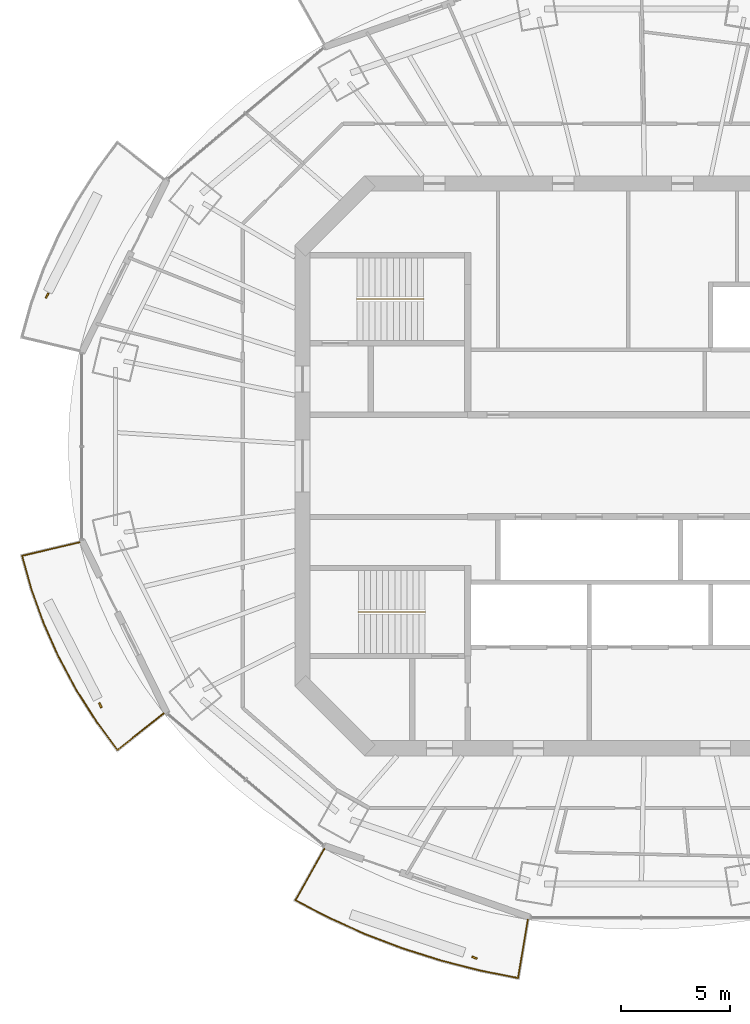
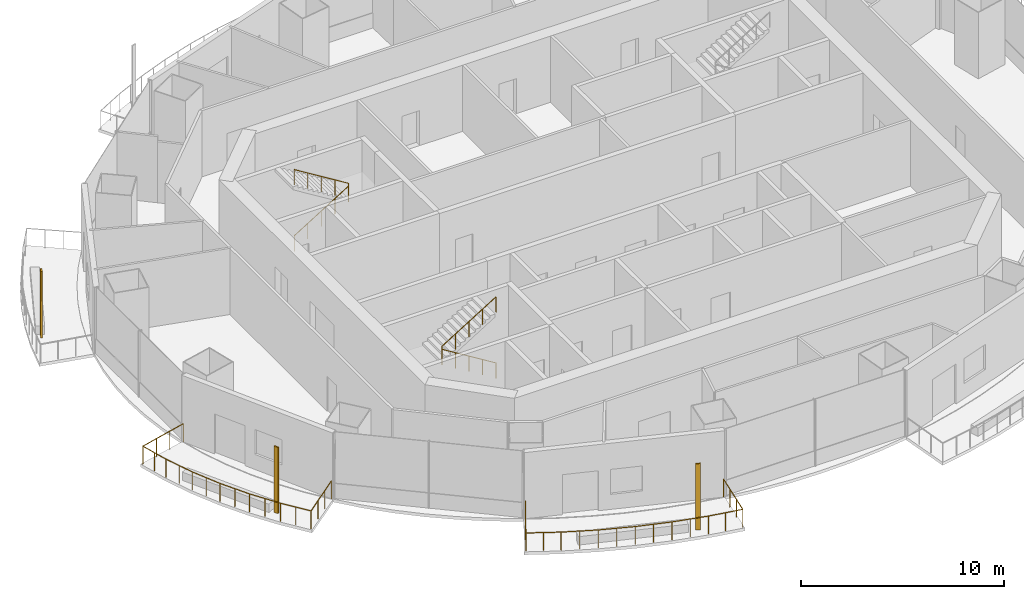
# One storey, part 12 of 16: 4 railings, 3 shading devices.
"""IFC4 building model written with IfcOpenShell, lengths in metres."""

import ifcopenshell
import ifcopenshell.guid

model = None  # the IFC model being written
_history = None  # IfcOwnerHistory: only IFC2X3 demands one
_inside = {}  # id of a spatial element -> (the spatial element, [elements in it])
_under = {}  # id of a project, library or spatial element -> (it, [spatial elements below it])
_declared = {}  # id of a project -> (the project, [libraries it declares])
_typed = {}  # id of a type object -> (the type object, [elements of that type])
_made_of = {}  # id of a material, layer set ... -> (it, [elements and type objects made of it])


def new_model(schema):
    """Start an empty IFC model of exactly this schema.

    Asked for "IFC4X3", IfcOpenShell would pick the latest addendum, in which some entities
    have other attributes; the version numbers below select the first issue.
    IFC2X3 requires an IfcOwnerHistory on every rooted entity: one is made here for all.
    """
    global model, _history
    if schema == "IFC4X3":
        model = ifcopenshell.file(schema_version=(4, 3, 0, 0))
    else:
        model = ifcopenshell.file(schema=schema)
    _inside.clear()
    _under.clear()
    _declared.clear()
    _typed.clear()
    _made_of.clear()
    _history = None
    if model.schema == "IFC2X3":
        org = make("IfcOrganization", Name="unknown")
        user = make(
            "IfcPersonAndOrganization",
            ThePerson=make("IfcPerson", FamilyName="unknown"),
            TheOrganization=org,
        )
        app = make(
            "IfcApplication",
            ApplicationDeveloper=org,
            Version="unknown",
            ApplicationFullName="unknown",
            ApplicationIdentifier="unknown",
        )
        _history = make(
            "IfcOwnerHistory",
            OwningUser=user,
            OwningApplication=app,
            ChangeAction="ADDED",
            CreationDate=0,
        )
    return model


def make(cls, **values):
    """One entity of the class cls with the attributes given. An attribute that is None is left unset."""
    return model.create_entity(
        cls, **{name: value for name, value in values.items() if value is not None}
    )


def rooted(cls, **values):
    """An entity with a GlobalId (a new one), such as an element, a storey or a relation."""
    return make(cls, GlobalId=ifcopenshell.guid.new(), OwnerHistory=_history, **values)


def si_unit(unit_type, name, prefix=None):
    """IfcSIUnit, for example si_unit("LENGTHUNIT", "METRE", prefix="MILLI")."""
    return make("IfcSIUnit", UnitType=unit_type, Prefix=prefix, Name=name)


def assignment(units):
    """IfcUnitAssignment: the units of a project."""
    return None if units is None else make("IfcUnitAssignment", Units=units)


def point(xyz):
    """IfcCartesianPoint."""
    return None if xyz is None else make("IfcCartesianPoint", Coordinates=xyz)


def direction(xyz):
    """IfcDirection."""
    return None if xyz is None else make("IfcDirection", DirectionRatios=xyz)


def frame(location, z_axis=None, x_axis=None):
    """IfcAxis2Placement3D, a coordinate frame: its origin and axes. An axis left out is left unset."""
    return make(
        "IfcAxis2Placement3D",
        Location=point(location),
        Axis=direction(z_axis),
        RefDirection=direction(x_axis),
    )


def frame_2d(location, x_axis=None):
    """IfcAxis2Placement2D, a coordinate frame in the plane: its origin and x axis."""
    return make(
        "IfcAxis2Placement2D", Location=point(location), RefDirection=direction(x_axis)
    )


def origin():
    """The frame at (0, 0, 0) with its axes left unset."""
    return frame((0.0, 0.0, 0.0))


def origin_2d():
    """The frame at (0, 0) in the plane with its x axis left unset."""
    return frame_2d((0.0, 0.0))


def place(relative_to, where):
    """IfcLocalPlacement: puts the frame where relative to a parent placement (None: the world)."""
    return make(
        "IfcLocalPlacement", PlacementRelTo=relative_to, RelativePlacement=where
    )


def context(
    kind, dimensions, precision=None, world=None, true_north=None, identifier=None
):
    """IfcGeometricRepresentationContext, for example the 3D "Model" context."""
    return make(
        "IfcGeometricRepresentationContext",
        ContextIdentifier=identifier,
        ContextType=kind,
        CoordinateSpaceDimension=dimensions,
        Precision=precision,
        WorldCoordinateSystem=world,
        TrueNorth=true_north,
    )


def subcontext(parent, identifier, kind, view, scale=None):
    """IfcGeometricRepresentationSubContext, for example "Body" below "Model"."""
    return make(
        "IfcGeometricRepresentationSubContext",
        ContextIdentifier=identifier,
        ContextType=kind,
        ParentContext=parent,
        TargetScale=scale,
        TargetView=view,
    )


def project(units=None, contexts=None):
    """IfcProject with its units and contexts."""
    return rooted(
        "IfcProject",
        Name="project",
        RepresentationContexts=contexts,
        UnitsInContext=assignment(units),
    )


def spatial(cls, under=None, at=None, **own):
    """A site, building, storey or space (cls), placed at a placement, below another one or the project."""
    s = rooted(cls, ObjectPlacement=at, **own)
    if under is not None:
        _under.setdefault(under.id(), (under, []))[1].append(s)
    return s


def profile(cls, at=None, kind="AREA", **sizes):
    """A parametric profile (cls). Its sizes go by their IFC names, for example OverallWidth=200.0."""
    return make(cls, ProfileType=kind, Position=at, **sizes)


def rectangle(**sizes):
    """IfcRectangleProfileDef."""
    return profile("IfcRectangleProfileDef", **sizes)


def circle(**sizes):
    """IfcCircleProfileDef."""
    return profile("IfcCircleProfileDef", **sizes)


def extrude(swept, where, along, depth):
    """IfcExtrudedAreaSolid: the profile swept, set in the frame where, extruded along a direction by depth."""
    return make(
        "IfcExtrudedAreaSolid",
        SweptArea=swept,
        Position=where,
        ExtrudedDirection=direction(along),
        Depth=depth,
    )


def shape(context_of_items, identifier, shape_type, items):
    """IfcShapeRepresentation: the items that make up one representation, for example the "Body"."""
    return make(
        "IfcShapeRepresentation",
        ContextOfItems=context_of_items,
        RepresentationIdentifier=identifier,
        RepresentationType=shape_type,
        Items=items,
    )


def material(Name=None, Category=None):
    """IfcMaterial."""
    return make("IfcMaterial", Name=Name, Category=Category)


def material_profile(
    of_material, cross_section, Name=None, Category=None, Priority=None
):
    """IfcMaterialProfile: a cross section and its material."""
    return make(
        "IfcMaterialProfile",
        Name=Name,
        Material=of_material,
        Profile=cross_section,
        Priority=Priority,
        Category=Category,
    )


def profile_set(profiles, Name=None, composite=None):
    """IfcMaterialProfileSet."""
    return make(
        "IfcMaterialProfileSet",
        Name=Name,
        MaterialProfiles=profiles,
        CompositeProfile=composite,
    )


def made_of(thing, what):
    """Note that an element or type object is made of a material, layer set ...; save() writes the relation."""
    if what is not None:
        _made_of.setdefault(what.id(), (what, []))[1].append(thing)
    return thing


def type_object(cls, material=None, **own):
    """A type object (cls), such as IfcWallType, which elements share."""
    return made_of(rooted(cls, **own), material)


def element(
    cls,
    number,
    at=None,
    inside=None,
    cuts=None,
    type_object=None,
    material=None,
    context=None,
    identifier="Body",
    shape_type=None,
    held_by="IfcProductDefinitionShape",
    body=None,
    shapes=None,
    **own,
):
    """One element of the class cls, such as IfcWall. Its Tag is "e" and its number.

    at: its placement. inside: the storey or other place that contains it. cuts: it is an
    opening in that element (IfcRelVoidsElement). A single representation is given by context,
    identifier, shape_type and body (its items); several are given by shapes. held_by: the class
    of the entity that holds the representations. save() writes the other relations.
    """
    e = rooted(cls, Tag="e%d" % number, ObjectPlacement=at, **own)
    if body is not None:
        shapes = [shape(context, identifier, shape_type, body)]
    if shapes is not None:
        e.Representation = make(held_by, Representations=shapes)
    if inside is not None:
        _inside.setdefault(inside.id(), (inside, []))[1].append(e)
    if cuts is not None:
        rooted(
            "IfcRelVoidsElement", RelatingBuildingElement=cuts, RelatedOpeningElement=e
        )
    if type_object is not None:
        _typed.setdefault(type_object.id(), (type_object, []))[1].append(e)
    return made_of(e, material)


def aggregate(whole, parts):
    """IfcRelAggregates: a whole, such as a stair, and the parts it consists of."""
    return rooted("IfcRelAggregates", RelatingObject=whole, RelatedObjects=parts)


def save(model, path):
    """Write the relations noted so far, then the file.

    IfcRelAggregates (storeys below a building ...), IfcRelContainedInSpatialStructure (elements
    in a storey), IfcRelDefinesByType, IfcRelAssociatesMaterial and IfcRelDeclares: one each for
    every whole, place, type object, material and project.
    """
    for whole, parts in _under.values():
        aggregate(whole, parts)
    for where, things in _inside.values():
        rooted(
            "IfcRelContainedInSpatialStructure",
            RelatedElements=things,
            RelatingStructure=where,
        )
    for kind, things in _typed.values():
        rooted("IfcRelDefinesByType", RelatedObjects=things, RelatingType=kind)
    for what, things in _made_of.values():
        rooted("IfcRelAssociatesMaterial", RelatedObjects=things, RelatingMaterial=what)
    for by, libraries in _declared.values():
        rooted("IfcRelDeclares", RelatingContext=by, RelatedDefinitions=libraries)
    model.write(path)


model = new_model("IFC4")

# Units and contexts
model_context = context("Model", 3, precision=1e-05, world=origin(), true_north=direction((0.0, 1.0)))
body_context = subcontext(model_context, "Body", "Model", "MODEL_VIEW")
ifc_project = project(units=[si_unit("LENGTHUNIT", "METRE"), si_unit("AREAUNIT", "SQUARE_METRE"), si_unit("VOLUMEUNIT", "CUBIC_METRE"), si_unit("PLANEANGLEUNIT", "RADIAN"), si_unit("MASSUNIT", "GRAM", prefix="KILO")], contexts=[model_context])

# Site, building, storey
site_placement = place(None, origin())
site = spatial("IfcSite", under=ifc_project, at=site_placement, CompositionType="ELEMENT")
building_placement = place(site_placement, origin())
building = spatial("IfcBuilding", under=site, at=building_placement, Name="Marenthal Gate Tower", CompositionType="ELEMENT")
storey_placement = place(building_placement, frame((0.0, 0.0, 367.5)))
storey = spatial("IfcBuildingStorey", under=building, at=storey_placement, Name="L83", CompositionType="ELEMENT", Elevation=367.5)

# Railings
ifc_material_1 = material(Name="Stainless steel", Category="steel")
railing_type_1 = type_object("IfcRailingType", Name="Balcony guard 1100", PredefinedType="GUARDRAIL", material=ifc_material_1)
railing_1_placement = place(storey_placement, frame((-22.387939453125, -11.38818359375, 0.0)))
element("IfcRailing", 1, at=railing_1_placement, inside=storey, type_object=railing_type_1, Name="Balcony guard L83 bay 9", PredefinedType="GUARDRAIL", context=body_context, shape_type="SweptSolid", body=[
    extrude(circle(Radius=0.02392578125, at=origin_2d()), frame((0.0, 0.0, 1.076171875), z_axis=(-0.783769769253, -0.620877048402, -0.014718681113), x_axis=(0.6209443126, -0.783854680824, 0.0)), (0.0, 0.0, 1.0), 2.72021484375),
    extrude(circle(Radius=0.02392578125, at=origin_2d()), frame((-2.132080078125, -1.68896484375, 1.0361328125), z_axis=(-0.59246977966, 0.805592676351, 0.0), x_axis=(-0.805592676351, -0.59246977966, 0.0)), (0.0, 0.0, 1.0), 1.64501953125),
    extrude(circle(Radius=0.02392578125, at=origin_2d()), frame((-3.106689453125, -0.36376953125, 1.0361328125), z_axis=(-0.535611442073, 0.844464554093, 0.0), x_axis=(-0.844464554093, -0.535611442073, 0.0)), (0.0, 0.0, 1.0), 1.712890625),
    extrude(circle(Radius=0.02392578125, at=origin_2d()), frame((-4.024169921875, 1.082763671875, 1.0361328125), z_axis=(-0.473526582877, 0.880779527072, 0.0), x_axis=(-0.880779527072, -0.473526582877, 0.0)), (0.0, 0.0, 1.0), 1.701904296875),
    extrude(circle(Radius=0.02392578125, at=origin_2d()), frame((-4.830078125, 2.581787109375, 1.0361328125), z_axis=(-0.407891440558, 0.913030433622, 0.0), x_axis=(-0.913030433622, -0.407891440558, 0.0)), (0.0, 0.0, 1.0), 1.692138671875),
    extrude(circle(Radius=0.02392578125, at=origin_2d()), frame((-5.520263671875, 4.126708984375, 1.0361328125), z_axis=(-0.338585961957, 0.940935463443, 0.0), x_axis=(-0.940935463443, -0.338585961957, 0.0)), (0.0, 0.0, 1.0), 1.68359375),
    extrude(circle(Radius=0.02392578125, at=origin_2d()), frame((-6.09033203125, 5.7109375, 1.0361328125), z_axis=(-0.268495452575, 0.96328095172, 0.0), x_axis=(-0.96328095172, -0.268495452575, 0.0)), (0.0, 0.0, 1.0), 1.5966796875),
    extrude(circle(Radius=0.02392578125, at=origin_2d()), frame((-6.51904296875, 7.2490234375, 1.0361328125), z_axis=(0.973202156383, 0.229479704341, 0.014718291557), x_axis=(-0.229504564257, 0.973307584983, 0.0)), (0.0, 0.0, 1.0), 2.720458984375),
    extrude(circle(Radius=0.02099609375, at=origin_2d()), origin(), (0.0, 0.0, 1.0), 1.052001953125),
    extrude(circle(Radius=0.02099609375, at=origin_2d()), frame((-0.710693359375, -0.56298828125, -0.013427734375)), (0.0, 0.0, 1.0), 1.052001953125),
    extrude(circle(Radius=0.02099609375, at=origin_2d()), frame((-1.42138671875, -1.1259765625, -0.026611328125)), (0.0, 0.0, 1.0), 1.052001953125),
    extrude(circle(Radius=0.02099609375, at=origin_2d()), frame((-2.132080078125, -1.68896484375, -0.0400390625)), (0.0, 0.0, 1.0), 1.052001953125),
    extrude(circle(Radius=0.02099609375, at=origin_2d()), frame((-2.619384765625, -1.0263671875, -0.0400390625)), (0.0, 0.0, 1.0), 1.052001953125),
    extrude(circle(Radius=0.02099609375, at=origin_2d()), frame((-3.106689453125, -0.36376953125, -0.0400390625)), (0.0, 0.0, 1.0), 1.052001953125),
    extrude(circle(Radius=0.02099609375, at=origin_2d()), frame((-3.5654296875, 0.359375, -0.0400390625)), (0.0, 0.0, 1.0), 1.052001953125),
    extrude(circle(Radius=0.02099609375, at=origin_2d()), frame((-4.024169921875, 1.082763671875, -0.0400390625)), (0.0, 0.0, 1.0), 1.052001953125),
    extrude(circle(Radius=0.02099609375, at=origin_2d()), frame((-4.42724609375, 1.832275390625, -0.0400390625)), (0.0, 0.0, 1.0), 1.052001953125),
    extrude(circle(Radius=0.02099609375, at=origin_2d()), frame((-4.830078125, 2.581787109375, -0.0400390625)), (0.0, 0.0, 1.0), 1.052001953125),
    extrude(circle(Radius=0.02099609375, at=origin_2d()), frame((-5.17529296875, 3.354248046875, -0.0400390625)), (0.0, 0.0, 1.0), 1.052001953125),
    extrude(circle(Radius=0.02099609375, at=origin_2d()), frame((-5.520263671875, 4.126708984375, -0.0400390625)), (0.0, 0.0, 1.0), 1.052001953125),
    extrude(circle(Radius=0.02099609375, at=origin_2d()), frame((-5.80517578125, 4.9189453125, -0.0400390625)), (0.0, 0.0, 1.0), 1.052001953125),
    extrude(circle(Radius=0.02099609375, at=origin_2d()), frame((-6.09033203125, 5.7109375, -0.0400390625)), (0.0, 0.0, 1.0), 1.052001953125),
    extrude(circle(Radius=0.02099609375, at=origin_2d()), frame((-6.3046875, 6.47998046875, -0.0400390625)), (0.0, 0.0, 1.0), 1.052001953125),
    extrude(circle(Radius=0.02099609375, at=origin_2d()), frame((-6.51904296875, 7.2490234375, -0.0400390625)), (0.0, 0.0, 1.0), 1.052001953125),
    extrude(circle(Radius=0.02099609375, at=origin_2d()), frame((-5.636474609375, 7.45703125, -0.026611328125)), (0.0, 0.0, 1.0), 1.052001953125),
    extrude(circle(Radius=0.02099609375, at=origin_2d()), frame((-4.754150390625, 7.665283203125, -0.013427734375)), (0.0, 0.0, 1.0), 1.052001953125),
    extrude(circle(Radius=0.02099609375, at=origin_2d()), frame((-3.87158203125, 7.873291015625, 0.0)), (0.0, 0.0, 1.0), 1.052001953125),
])
railing_2_placement = place(storey_placement, frame((-5.62646484375, -20.890625, 0.0)))
element("IfcRailing", 2, at=railing_2_placement, inside=storey, type_object=railing_type_1, Name="Balcony guard L83 bay 11", PredefinedType="GUARDRAIL", context=body_context, shape_type="SweptSolid", body=[
    extrude(circle(Radius=0.02392578125, at=origin_2d()), frame((0.0, 0.0, 1.076171875), z_axis=(-0.165414456926, -0.986114290962, -0.01471946334), x_axis=(0.986221135368, -0.165432379401, 0.0)), (0.0, 0.0, 1.0), 2.72021484375),
    extrude(circle(Radius=0.02392578125, at=origin_2d()), frame((-0.449951171875, -2.682373046875, 1.0361328125), z_axis=(-0.981004256117, 0.193986209508, 0.0), x_axis=(-0.193986209508, -0.981004256117, 0.0)), (0.0, 0.0, 1.0), 1.785888671875),
    extrude(circle(Radius=0.02392578125, at=origin_2d()), frame((-2.201904296875, -2.3359375, 1.0361328125), z_axis=(-0.968854736133, 0.247629764514, 0.0), x_axis=(-0.247629764514, -0.968854736133, 0.0)), (0.0, 0.0, 1.0), 1.859375),
    extrude(circle(Radius=0.02392578125, at=origin_2d()), frame((-4.00341796875, -1.87548828125, 1.0361328125), z_axis=(-0.953199116145, 0.302343256879, 0.0), x_axis=(-0.302343256879, -0.953199116145, 0.0)), (0.0, 0.0, 1.0), 1.850830078125),
    extrude(circle(Radius=0.02392578125, at=origin_2d()), frame((-5.767578125, -1.31591796875, 1.0361328125), z_axis=(-0.934231239104, 0.35666790139, 0.0), x_axis=(-0.35666790139, -0.934231239104, 0.0)), (0.0, 0.0, 1.0), 1.84130859375),
    extrude(circle(Radius=0.02392578125, at=origin_2d()), frame((-7.48779296875, -0.6591796875, 1.0361328125), z_axis=(-0.911781695063, 0.410675225146, 0.0), x_axis=(-0.410675225146, -0.911781695063, 0.0)), (0.0, 0.0, 1.0), 1.830322265625),
    extrude(circle(Radius=0.02392578125, at=origin_2d()), frame((-9.15673828125, 0.092529296875, 1.0361328125), z_axis=(-0.886397005833, 0.462925855889, 0.0), x_axis=(-0.462925855889, -0.886397005833, 0.0)), (0.0, 0.0, 1.0), 1.73876953125),
    extrude(circle(Radius=0.02392578125, at=origin_2d()), frame((-10.697998046875, 0.8974609375, 1.0361328125), z_axis=(0.490915294113, 0.871082969774, 0.014718484138), x_axis=(-0.871177338103, 0.490968477171, 0.0)), (0.0, 0.0, 1.0), 2.72021484375),
    extrude(circle(Radius=0.02099609375, at=origin_2d()), origin(), (0.0, 0.0, 1.0), 1.052001953125),
    extrude(circle(Radius=0.02099609375, at=origin_2d()), frame((-0.14990234375, -0.89404296875, -0.013427734375)), (0.0, 0.0, 1.0), 1.052001953125),
    extrude(circle(Radius=0.02099609375, at=origin_2d()), frame((-0.300048828125, -1.788330078125, -0.026611328125)), (0.0, 0.0, 1.0), 1.052001953125),
    extrude(circle(Radius=0.02099609375, at=origin_2d()), frame((-0.449951171875, -2.682373046875, -0.0400390625)), (0.0, 0.0, 1.0), 1.052001953125),
    extrude(circle(Radius=0.02099609375, at=origin_2d()), frame((-1.325927734375, -2.50927734375, -0.0400390625)), (0.0, 0.0, 1.0), 1.052001953125),
    extrude(circle(Radius=0.02099609375, at=origin_2d()), frame((-2.201904296875, -2.3359375, -0.0400390625)), (0.0, 0.0, 1.0), 1.052001953125),
    extrude(circle(Radius=0.02099609375, at=origin_2d()), frame((-3.1025390625, -2.105712890625, -0.0400390625)), (0.0, 0.0, 1.0), 1.052001953125),
    extrude(circle(Radius=0.02099609375, at=origin_2d()), frame((-4.00341796875, -1.87548828125, -0.0400390625)), (0.0, 0.0, 1.0), 1.052001953125),
    extrude(circle(Radius=0.02099609375, at=origin_2d()), frame((-4.885498046875, -1.595703125, -0.0400390625)), (0.0, 0.0, 1.0), 1.052001953125),
    extrude(circle(Radius=0.02099609375, at=origin_2d()), frame((-5.767578125, -1.31591796875, -0.0400390625)), (0.0, 0.0, 1.0), 1.052001953125),
    extrude(circle(Radius=0.02099609375, at=origin_2d()), frame((-6.627685546875, -0.987548828125, -0.0400390625)), (0.0, 0.0, 1.0), 1.052001953125),
    extrude(circle(Radius=0.02099609375, at=origin_2d()), frame((-7.48779296875, -0.6591796875, -0.0400390625)), (0.0, 0.0, 1.0), 1.052001953125),
    extrude(circle(Radius=0.02099609375, at=origin_2d()), frame((-8.322265625, -0.283203125, -0.0400390625)), (0.0, 0.0, 1.0), 1.052001953125),
    extrude(circle(Radius=0.02099609375, at=origin_2d()), frame((-9.15673828125, 0.092529296875, -0.0400390625)), (0.0, 0.0, 1.0), 1.052001953125),
    extrude(circle(Radius=0.02099609375, at=origin_2d()), frame((-9.92724609375, 0.4951171875, -0.0400390625)), (0.0, 0.0, 1.0), 1.052001953125),
    extrude(circle(Radius=0.02099609375, at=origin_2d()), frame((-10.697998046875, 0.8974609375, -0.0400390625)), (0.0, 0.0, 1.0), 1.052001953125),
    extrude(circle(Radius=0.02099609375, at=origin_2d()), frame((-10.2529296875, 1.687255859375, -0.026611328125)), (0.0, 0.0, 1.0), 1.052001953125),
    extrude(circle(Radius=0.02099609375, at=origin_2d()), frame((-9.8076171875, 2.477294921875, -0.013427734375)), (0.0, 0.0, 1.0), 1.052001953125),
    extrude(circle(Radius=0.02099609375, at=origin_2d()), frame((-9.362548828125, 3.26708984375, 0.0)), (0.0, 0.0, 1.0), 1.052001953125),
])
ifc_material_2 = material(Name="Stainless steel", Category="steel")
railing_type_2 = type_object("IfcRailingType", Name="Stair handrail", PredefinedType="HANDRAIL", material=ifc_material_2)
railing_3_placement = place(storey_placement, frame((-13.5, 7.675048828125, 0.1728515625)))
element("IfcRailing", 3, at=railing_3_placement, inside=storey, type_object=railing_type_2, Name="Handrail ST1", PredefinedType="HANDRAIL", context=body_context, shape_type="SweptSolid", body=[
    extrude(circle(Radius=0.0224609375, at=origin_2d()), frame((0.0, 0.0, 0.927490234375), z_axis=(0.850835241893, 0.0, 0.525432575268), x_axis=(0.0, 1.0, 0.0)), (0.0, 0.0, 1.0), 3.6201171875),
    extrude(circle(Radius=0.0224609375, at=origin_2d()), frame((3.080078125, 0.0, 2.82958984375), z_axis=(0.0, 0.0, 1.0), x_axis=(1.0, 0.0, 0.0)), (0.0, 0.0, 1.0), 0.1728515625),
    extrude(circle(Radius=0.0224609375, at=origin_2d()), frame((3.080078125, 0.0, 3.00244140625), z_axis=(-0.850835241893, 0.0, 0.525432575268), x_axis=(0.0, -1.0, 0.0)), (0.0, 0.0, 1.0), 3.6201171875),
    extrude(circle(Radius=0.02001953125, at=origin_2d()), origin(), (0.0, 0.0, 1.0), 0.905029296875),
    extrude(circle(Radius=0.02001953125, at=origin_2d()), frame((0.77001953125, 0.0, 0.4755859375)), (0.0, 0.0, 1.0), 0.905029296875),
    extrude(circle(Radius=0.02001953125, at=origin_2d()), frame((1.5400390625, 0.0, 0.951171875)), (0.0, 0.0, 1.0), 0.905029296875),
    extrude(circle(Radius=0.02001953125, at=origin_2d()), frame((2.31005859375, 0.0, 1.426513671875)), (0.0, 0.0, 1.0), 0.905029296875),
    extrude(circle(Radius=0.02001953125, at=origin_2d()), frame((3.080078125, 0.0, 1.902099609375)), (0.0, 0.0, 1.0), 0.905029296875),
    extrude(circle(Radius=0.02001953125, at=origin_2d()), frame((3.080078125, 0.0, 2.074951171875)), (0.0, 0.0, 1.0), 0.905029296875),
    extrude(circle(Radius=0.02001953125, at=origin_2d()), frame((2.31005859375, 0.0, 2.550537109375)), (0.0, 0.0, 1.0), 0.905029296875),
    extrude(circle(Radius=0.02001953125, at=origin_2d()), frame((1.5400390625, 0.0, 3.02587890625)), (0.0, 0.0, 1.0), 0.905029296875),
    extrude(circle(Radius=0.02001953125, at=origin_2d()), frame((0.77001953125, 0.0, 3.50146484375)), (0.0, 0.0, 1.0), 0.905029296875),
    extrude(circle(Radius=0.02001953125, at=origin_2d()), frame((0.0, 0.0, 3.97705078125)), (0.0, 0.0, 1.0), 0.905029296875),
])
railing_4_placement = place(storey_placement, frame((-10.35009765625, -6.72509765625, 0.1728515625)))
element("IfcRailing", 4, at=railing_4_placement, inside=storey, type_object=railing_type_2, Name="Handrail ST2", PredefinedType="HANDRAIL", context=body_context, shape_type="SweptSolid", body=[
    extrude(circle(Radius=0.0224609375, at=origin_2d()), frame((0.0, 0.0, 0.927490234375), z_axis=(-0.850816621229, 0.0, 0.525462726595), x_axis=(0.0, -1.0, 0.0)), (0.0, 0.0, 1.0), 3.619873046875),
    extrude(circle(Radius=0.0224609375, at=origin_2d()), frame((-3.079833984375, 0.0, 2.82958984375), z_axis=(0.0, 0.0, 1.0), x_axis=(1.0, 0.0, 0.0)), (0.0, 0.0, 1.0), 0.1728515625),
    extrude(circle(Radius=0.0224609375, at=origin_2d()), frame((-3.079833984375, 0.0, 3.00244140625), z_axis=(0.850816621229, 0.0, 0.525462726595), x_axis=(0.0, 1.0, 0.0)), (0.0, 0.0, 1.0), 3.619873046875),
    extrude(circle(Radius=0.02001953125, at=origin_2d()), origin(), (0.0, 0.0, 1.0), 0.905029296875),
    extrude(circle(Radius=0.02001953125, at=origin_2d()), frame((-0.77001953125, 0.0, 0.4755859375)), (0.0, 0.0, 1.0), 0.905029296875),
    extrude(circle(Radius=0.02001953125, at=origin_2d()), frame((-1.5400390625, 0.0, 0.951171875)), (0.0, 0.0, 1.0), 0.905029296875),
    extrude(circle(Radius=0.02001953125, at=origin_2d()), frame((-2.309814453125, 0.0, 1.426513671875)), (0.0, 0.0, 1.0), 0.905029296875),
    extrude(circle(Radius=0.02001953125, at=origin_2d()), frame((-3.079833984375, 0.0, 1.902099609375)), (0.0, 0.0, 1.0), 0.905029296875),
    extrude(circle(Radius=0.02001953125, at=origin_2d()), frame((-3.079833984375, 0.0, 2.074951171875)), (0.0, 0.0, 1.0), 0.905029296875),
    extrude(circle(Radius=0.02001953125, at=origin_2d()), frame((-2.309814453125, 0.0, 2.550537109375)), (0.0, 0.0, 1.0), 0.905029296875),
    extrude(circle(Radius=0.02001953125, at=origin_2d()), frame((-1.5400390625, 0.0, 3.02587890625)), (0.0, 0.0, 1.0), 0.905029296875),
    extrude(circle(Radius=0.02001953125, at=origin_2d()), frame((-0.77001953125, 0.0, 3.50146484375)), (0.0, 0.0, 1.0), 0.905029296875),
    extrude(circle(Radius=0.02001953125, at=origin_2d()), frame((0.0, 0.0, 3.97705078125)), (0.0, 0.0, 1.0), 0.905029296875),
])

# Shading devices
ifc_material_3 = material(Name="Terracotta", Category="masonry")
ifc_material_profile = material_profile(ifc_material_3, rectangle(XDim=0.25, YDim=0.080078125, at=origin_2d()), Name="Terracotta baguette 250x80")
ifc_profile_set = profile_set([ifc_material_profile], Name="Terracotta")
shading_device_type = type_object("IfcShadingDeviceType", Name="Terracotta BAGUETTE SCREEN 250x80", PredefinedType="USERDEFINED", material=ifc_profile_set)
for number, where, z_axis, x_axis, name in (
    (5, (-27.753662109375, 7.840576171875, -0.0400390625), (0.0, 0.0, 1.0), (-0.441063469926, -0.897475913603, 0.0), "Terracotta BAGUETTE L83 bay 7R"),
    (6, (-25.306640625, -11.02001953125, -0.0400390625), (0.0, 0.0, 1.0), (0.441063469926, -0.897475913603, 0.0), "Terracotta BAGUETTE L83 bay 9R"),
    (7, (-8.08203125, -22.63720703125, -0.0400390625), (0.0, 0.0, 1.0), (0.944118156364, -0.329607200807, 0.0), "Terracotta BAGUETTE L83 bay 11R"),
):
    element("IfcShadingDevice", number, at=place(storey_placement, frame(where, z_axis=z_axis, x_axis=x_axis)), inside=storey, type_object=shading_device_type, Name=name, ObjectType="BAGUETTE SCREEN", PredefinedType="USERDEFINED", context=body_context, shape_type="SweptSolid", body=[
        extrude(rectangle(XDim=0.25, YDim=0.080078125, at=origin_2d()), origin(), (0.0, 0.0, 1.0), 3.969970703125),
    ])

save(model, "model.ifc")
